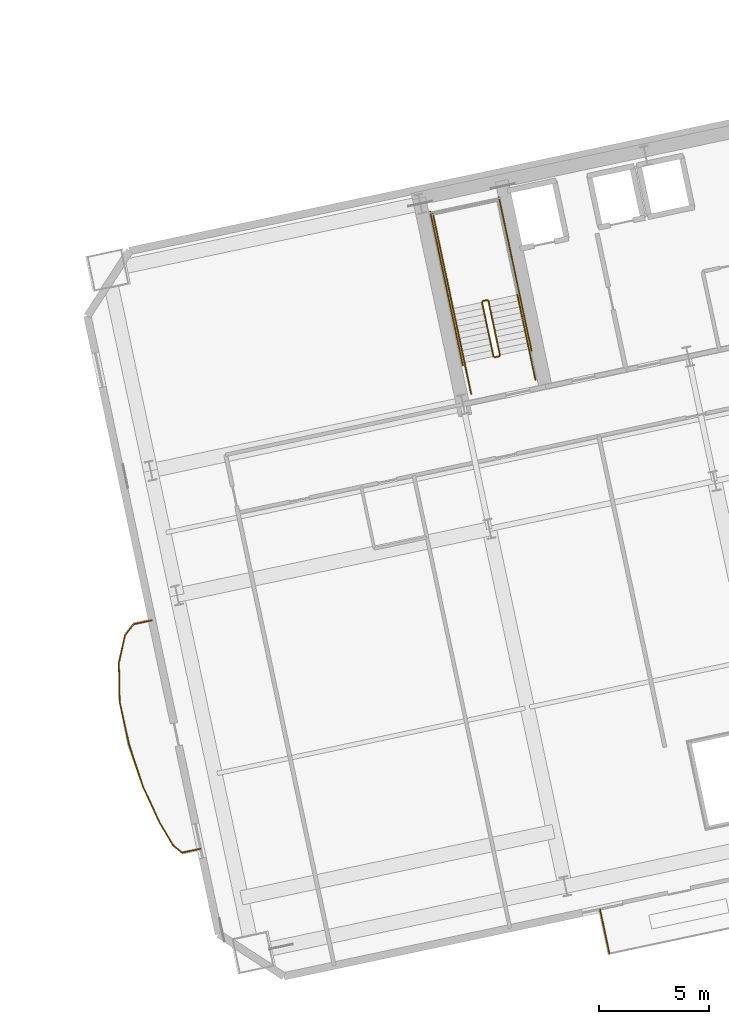
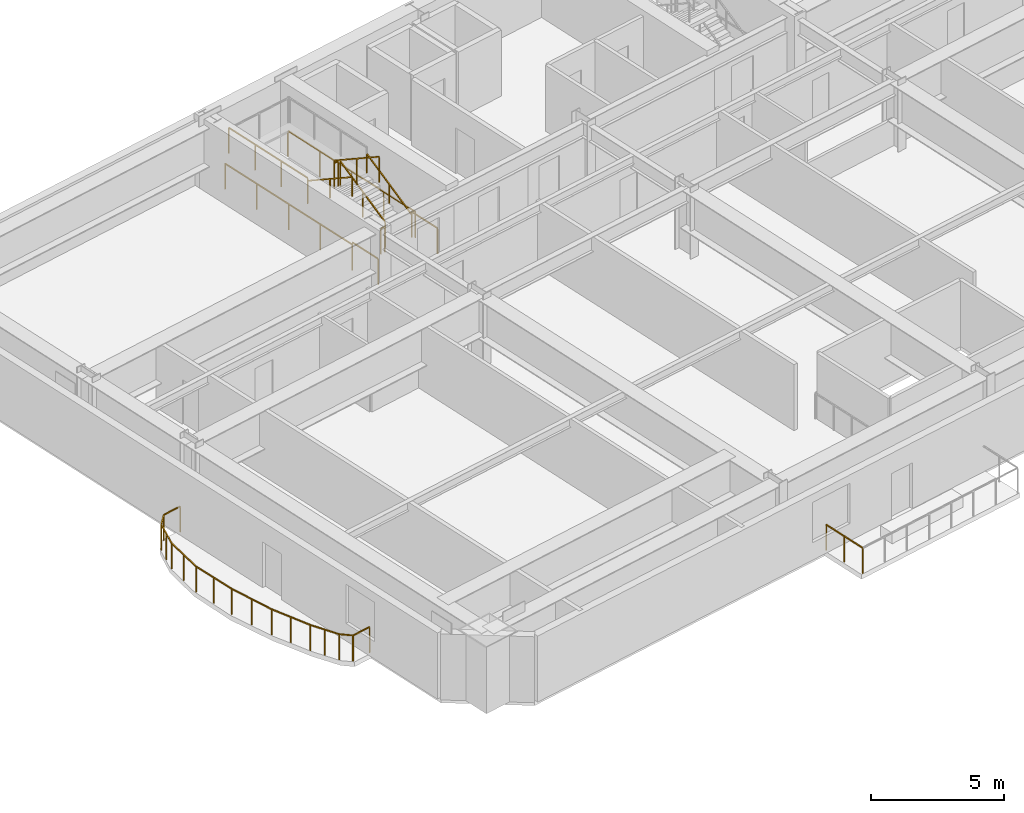
# One storey, part 16 of 18: 22 railings.
"""IFC4 building model written with IfcOpenShell, lengths in metres."""

from ifc_helpers import new_model, si_unit, direction, frame, origin, origin_2d, place, context, subcontext, project, spatial, rectangle, extrude, material, type_object, element, save


model = new_model("IFC4")

# Units and contexts
model_context = context("Model", 3, precision=1e-05, world=origin(), true_north=direction((0.0, 1.0)))
body_context = subcontext(model_context, "Body", "Model", "MODEL_VIEW")
ifc_project = project(units=[si_unit("LENGTHUNIT", "METRE"), si_unit("AREAUNIT", "SQUARE_METRE"), si_unit("VOLUMEUNIT", "CUBIC_METRE"), si_unit("PLANEANGLEUNIT", "RADIAN"), si_unit("MASSUNIT", "GRAM", prefix="KILO")], contexts=[model_context])

# Site, building, storey
site_placement = place(None, origin())
site = spatial("IfcSite", under=ifc_project, at=site_placement, CompositionType="ELEMENT")
building_placement = place(site_placement, origin())
building = spatial("IfcBuilding", under=site, at=building_placement, Name="Haevon Station Towers", CompositionType="ELEMENT")
storey_placement = place(building_placement, frame((0.0, 0.0, 47.10009765625)))
storey = spatial("IfcBuildingStorey", under=building, at=storey_placement, Name="L11", CompositionType="ELEMENT", Elevation=47.10009765625)

# Railings
ifc_material = material(Name="Steel S355", Category="steel")
railing_type_1 = type_object("IfcRailingType", Name="GRD-EXT1200", PredefinedType="GUARDRAIL", material=ifc_material)
railing_1_placement = place(storey_placement, frame((84.56494140625, 27.599853515625, 0.0)))
element("IfcRailing", 1, at=railing_1_placement, inside=storey, type_object=railing_type_1, Name="L11 Perimeter Guardrail 1", PredefinedType="GUARDRAIL", context=body_context, shape_type="SweptSolid", body=[
    extrude(rectangle(XDim=0.048095703125, YDim=0.048095703125, at=origin_2d()), frame((0.0, 0.0, 1.17578125), z_axis=(-0.977678572445, -0.210106185017, 0.0), x_axis=(0.210106185017, -0.977678572445, 0.0)), (0.0, 0.0, 1.0), 0.837890625),
    extrude(rectangle(XDim=0.0419921875, YDim=0.0419921875, at=origin_2d()), origin(), (0.0, 0.0, 1.0), 1.15185546875),
    extrude(rectangle(XDim=0.0419921875, YDim=0.0419921875, at=origin_2d()), frame((-0.819091796875, -0.176025390625, 0.0)), (0.0, 0.0, 1.0), 1.15185546875),
])
railing_2_placement = place(storey_placement, frame((83.745849609375, 27.423828125, 0.0)))
element("IfcRailing", 2, at=railing_2_placement, inside=storey, type_object=railing_type_1, Name="L11 Perimeter Guardrail 2", PredefinedType="GUARDRAIL", context=body_context, shape_type="SweptSolid", body=[
    extrude(rectangle(XDim=0.048095703125, YDim=0.048095703125, at=origin_2d()), frame((0.0, 0.0, 1.17578125), z_axis=(-0.616102641883, -0.787665877555, 0.0), x_axis=(0.787665877555, -0.616102641883, 0.0)), (0.0, 0.0, 1.0), 0.640380859375),
    extrude(rectangle(XDim=0.0419921875, YDim=0.0419921875, at=origin_2d()), origin(), (0.0, 0.0, 1.0), 1.15185546875),
    extrude(rectangle(XDim=0.0419921875, YDim=0.0419921875, at=origin_2d()), frame((-0.39453125, -0.50439453125, 0.0)), (0.0, 0.0, 1.0), 1.15185546875),
])
railing_3_placement = place(storey_placement, frame((83.351318359375, 26.91943359375, 0.0)))
element("IfcRailing", 3, at=railing_3_placement, inside=storey, type_object=railing_type_1, Name="L11 Perimeter Guardrail 3", PredefinedType="GUARDRAIL", context=body_context, shape_type="SweptSolid", body=[
    extrude(rectangle(XDim=0.048095703125, YDim=0.048095703125, at=origin_2d()), frame((0.0, 0.0, 1.17578125), z_axis=(-0.215985023545, -0.976396676359, 0.0), x_axis=(0.976396676359, -0.215985023545, 0.0)), (0.0, 0.0, 1.0), 1.28515625),
    extrude(rectangle(XDim=0.0419921875, YDim=0.0419921875, at=origin_2d()), origin(), (0.0, 0.0, 1.0), 1.15185546875),
    extrude(rectangle(XDim=0.0419921875, YDim=0.0419921875, at=origin_2d()), frame((-0.138671875, -0.62744140625, 0.0)), (0.0, 0.0, 1.0), 1.15185546875),
    extrude(rectangle(XDim=0.0419921875, YDim=0.0419921875, at=origin_2d()), frame((-0.277587890625, -1.2548828125, 0.0)), (0.0, 0.0, 1.0), 1.15185546875),
])
railing_4_placement = place(storey_placement, frame((83.07373046875, 25.66455078125, 0.0)))
element("IfcRailing", 4, at=railing_4_placement, inside=storey, type_object=railing_type_1, Name="L11 Perimeter Guardrail 4", PredefinedType="GUARDRAIL", context=body_context, shape_type="SweptSolid", body=[
    extrude(rectangle(XDim=0.048095703125, YDim=0.048095703125, at=origin_2d()), frame((0.0, 0.0, 1.17578125), z_axis=(0.018952639121, -0.999820382604, 0.0), x_axis=(0.999820382604, 0.018952639121, 0.0)), (0.0, 0.0, 1.0), 1.777587890625),
    extrude(rectangle(XDim=0.0419921875, YDim=0.0419921875, at=origin_2d()), origin(), (0.0, 0.0, 1.0), 1.15185546875),
    extrude(rectangle(XDim=0.0419921875, YDim=0.0419921875, at=origin_2d()), frame((0.016845703125, -0.888671875, 0.0)), (0.0, 0.0, 1.0), 1.15185546875),
    extrude(rectangle(XDim=0.0419921875, YDim=0.0419921875, at=origin_2d()), frame((0.03369140625, -1.77734375, 0.0)), (0.0, 0.0, 1.0), 1.15185546875),
])
railing_5_placement = place(storey_placement, frame((83.107421875, 23.88720703125, 0.0)))
element("IfcRailing", 5, at=railing_5_placement, inside=storey, type_object=railing_type_1, Name="L11 Perimeter Guardrail 5", PredefinedType="GUARDRAIL", context=body_context, shape_type="SweptSolid", body=[
    extrude(rectangle(XDim=0.048095703125, YDim=0.048095703125, at=origin_2d()), frame((0.0, 0.0, 1.17578125), z_axis=(0.216230329155, -0.976342380906, 0.0), x_axis=(0.976342380906, 0.216230329155, 0.0)), (0.0, 0.0, 1.0), 1.993896484375),
    extrude(rectangle(XDim=0.0419921875, YDim=0.0419921875, at=origin_2d()), origin(), (0.0, 0.0, 1.0), 1.15185546875),
    extrude(rectangle(XDim=0.0419921875, YDim=0.0419921875, at=origin_2d()), frame((0.215576171875, -0.973388671875, 0.0)), (0.0, 0.0, 1.0), 1.15185546875),
    extrude(rectangle(XDim=0.0419921875, YDim=0.0419921875, at=origin_2d()), frame((0.43115234375, -1.94677734375, 0.0)), (0.0, 0.0, 1.0), 1.15185546875),
])
railing_6_placement = place(storey_placement, frame((83.53857421875, 21.9404296875, 0.0)))
element("IfcRailing", 6, at=railing_6_placement, inside=storey, type_object=railing_type_1, Name="L11 Perimeter Guardrail 6", PredefinedType="GUARDRAIL", context=body_context, shape_type="SweptSolid", body=[
    extrude(rectangle(XDim=0.048095703125, YDim=0.048095703125, at=origin_2d()), frame((0.0, 0.0, 1.17578125), z_axis=(0.31319055167, -0.949690306544, 0.0), x_axis=(0.949690306544, 0.31319055167, 0.0)), (0.0, 0.0, 1.0), 2.002685546875),
    extrude(rectangle(XDim=0.0419921875, YDim=0.0419921875, at=origin_2d()), origin(), (0.0, 0.0, 1.0), 1.15185546875),
    extrude(rectangle(XDim=0.0419921875, YDim=0.0419921875, at=origin_2d()), frame((0.3134765625, -0.950927734375, 0.0)), (0.0, 0.0, 1.0), 1.15185546875),
    extrude(rectangle(XDim=0.0419921875, YDim=0.0419921875, at=origin_2d()), frame((0.627197265625, -1.90185546875, 0.0)), (0.0, 0.0, 1.0), 1.15185546875),
])
railing_7_placement = place(storey_placement, frame((84.165771484375, 20.03857421875, 0.0)))
element("IfcRailing", 7, at=railing_7_placement, inside=storey, type_object=railing_type_1, Name="L11 Perimeter Guardrail 7", PredefinedType="GUARDRAIL", context=body_context, shape_type="SweptSolid", body=[
    extrude(rectangle(XDim=0.048095703125, YDim=0.048095703125, at=origin_2d()), frame((0.0, 0.0, 1.17578125), z_axis=(0.417536663771, -0.90866007638, 0.0), x_axis=(0.90866007638, 0.417536663771, 0.0)), (0.0, 0.0, 1.0), 1.79150390625),
    extrude(rectangle(XDim=0.0419921875, YDim=0.0419921875, at=origin_2d()), origin(), (0.0, 0.0, 1.0), 1.15185546875),
    extrude(rectangle(XDim=0.0419921875, YDim=0.0419921875, at=origin_2d()), frame((0.3740234375, -0.81396484375, 0.0)), (0.0, 0.0, 1.0), 1.15185546875),
    extrude(rectangle(XDim=0.0419921875, YDim=0.0419921875, at=origin_2d()), frame((0.748046875, -1.6279296875, 0.0)), (0.0, 0.0, 1.0), 1.15185546875),
])
railing_8_placement = place(storey_placement, frame((84.913818359375, 18.41064453125, 0.0)))
element("IfcRailing", 8, at=railing_8_placement, inside=storey, type_object=railing_type_1, Name="L11 Perimeter Guardrail 8", PredefinedType="GUARDRAIL", context=body_context, shape_type="SweptSolid", body=[
    extrude(rectangle(XDim=0.048095703125, YDim=0.048095703125, at=origin_2d()), frame((0.0, 0.0, 1.17578125), z_axis=(0.513740925562, -0.857945372039, 0.0), x_axis=(0.857945372039, 0.513740925562, 0.0)), (0.0, 0.0, 1.0), 1.237060546875),
    extrude(rectangle(XDim=0.0419921875, YDim=0.0419921875, at=origin_2d()), origin(), (0.0, 0.0, 1.0), 1.15185546875),
    extrude(rectangle(XDim=0.0419921875, YDim=0.0419921875, at=origin_2d()), frame((0.31787109375, -0.53076171875, 0.0)), (0.0, 0.0, 1.0), 1.15185546875),
    extrude(rectangle(XDim=0.0419921875, YDim=0.0419921875, at=origin_2d()), frame((0.635498046875, -1.061279296875, 0.0)), (0.0, 0.0, 1.0), 1.15185546875),
])
railing_9_placement = place(storey_placement, frame((85.54931640625, 17.349365234375, 0.0)))
element("IfcRailing", 9, at=railing_9_placement, inside=storey, type_object=railing_type_1, Name="L11 Perimeter Guardrail 9", PredefinedType="GUARDRAIL", context=body_context, shape_type="SweptSolid", body=[
    extrude(rectangle(XDim=0.048095703125, YDim=0.048095703125, at=origin_2d()), frame((0.0, 0.0, 1.17578125), z_axis=(0.774739804813, -0.632280186973, 0.0), x_axis=(0.632280186973, 0.774739804813, 0.0)), (0.0, 0.0, 1.0), 0.52783203125),
    extrude(rectangle(XDim=0.0419921875, YDim=0.0419921875, at=origin_2d()), origin(), (0.0, 0.0, 1.0), 1.15185546875),
    extrude(rectangle(XDim=0.0419921875, YDim=0.0419921875, at=origin_2d()), frame((0.408935546875, -0.333740234375, 0.0)), (0.0, 0.0, 1.0), 1.15185546875),
])
railing_10_placement = place(storey_placement, frame((85.958251953125, 17.015625, 0.0)))
element("IfcRailing", 10, at=railing_10_placement, inside=storey, type_object=railing_type_1, Name="L11 Perimeter Guardrail 10", PredefinedType="GUARDRAIL", context=body_context, shape_type="SweptSolid", body=[
    extrude(rectangle(XDim=0.048095703125, YDim=0.048095703125, at=origin_2d()), frame((0.0, 0.0, 1.17578125), z_axis=(0.978605406054, 0.205746103834, 0.0), x_axis=(-0.205746103834, 0.978605406054, 0.0)), (0.0, 0.0, 1.0), 0.837646484375),
    extrude(rectangle(XDim=0.0419921875, YDim=0.0419921875, at=origin_2d()), origin(), (0.0, 0.0, 1.0), 1.15185546875),
    extrude(rectangle(XDim=0.0419921875, YDim=0.0419921875, at=origin_2d()), frame((0.81982421875, 0.17236328125, 0.0)), (0.0, 0.0, 1.0), 1.15185546875),
])
railing_11_placement = place(storey_placement, frame((105.00439453125, 14.413818359375, 0.0)))
element("IfcRailing", 11, at=railing_11_placement, inside=storey, type_object=railing_type_1, Name="L11 Perimeter Guardrail 3", PredefinedType="GUARDRAIL", context=body_context, shape_type="SweptSolid", body=[
    extrude(rectangle(XDim=0.048095703125, YDim=0.048095703125, at=origin_2d()), frame((0.0, 0.0, 1.17578125), z_axis=(0.207848806692, -0.978160965055, 0.0), x_axis=(0.978160965055, 0.207848806692, 0.0)), (0.0, 0.0, 1.0), 2.054443359375),
    extrude(rectangle(XDim=0.0419921875, YDim=0.0419921875, at=origin_2d()), origin(), (0.0, 0.0, 1.0), 1.15185546875),
    extrude(rectangle(XDim=0.0419921875, YDim=0.0419921875, at=origin_2d()), frame((0.21337890625, -1.0048828125, 0.0)), (0.0, 0.0, 1.0), 1.15185546875),
    extrude(rectangle(XDim=0.0419921875, YDim=0.0419921875, at=origin_2d()), frame((0.427001953125, -2.009521484375, 0.0)), (0.0, 0.0, 1.0), 1.15185546875),
])
railing_type_2 = type_object("IfcRailingType", Name="GRD-STR1200", PredefinedType="GUARDRAIL", material=ifc_material)
railing_12_placement = place(storey_placement, frame((100.44140625, 39.69287109375, 0.164794921875)))
element("IfcRailing", 12, at=railing_12_placement, inside=storey, type_object=railing_type_2, Name="L11 ST3 Stair Guard 1", PredefinedType="GUARDRAIL", context=body_context, shape_type="SweptSolid", body=[
    extrude(rectangle(XDim=0.048095703125, YDim=0.048095703125, at=origin_2d()), frame((0.0, 0.0, 1.17578125), z_axis=(-0.179121265225, 0.842687928106, 0.507732831485), x_axis=(-0.978147030254, -0.207914374695, 0.0)), (0.0, 0.0, 1.0), 2.925048828125),
    extrude(rectangle(XDim=0.0419921875, YDim=0.0419921875, at=origin_2d()), origin(), (0.0, 0.0, 1.0), 1.15185546875),
    extrude(rectangle(XDim=0.0419921875, YDim=0.0419921875, at=origin_2d()), frame((-0.261962890625, 1.232421875, 0.74267578125)), (0.0, 0.0, 1.0), 1.15185546875),
    extrude(rectangle(XDim=0.0419921875, YDim=0.0419921875, at=origin_2d()), frame((-0.52392578125, 2.46484375, 1.485107421875)), (0.0, 0.0, 1.0), 1.15185546875),
])
railing_13_placement = place(storey_placement, frame((99.858154296875, 42.1962890625, 1.64990234375)))
element("IfcRailing", 13, at=railing_13_placement, inside=storey, type_object=railing_type_2, Name="L11 ST3 Stair Guard 2", PredefinedType="GUARDRAIL", context=body_context, shape_type="SweptSolid", body=[
    extrude(rectangle(XDim=0.048095703125, YDim=0.048095703125, at=origin_2d()), frame((0.0, 0.0, 1.17578125), z_axis=(-0.977962931203, -0.208778603291, 0.0), x_axis=(0.208778603291, -0.977962931203, 0.0)), (0.0, 0.0, 1.0), 0.199951171875),
    extrude(rectangle(XDim=0.0419921875, YDim=0.0419921875, at=origin_2d()), origin(), (0.0, 0.0, 1.0), 1.15185546875),
    extrude(rectangle(XDim=0.0419921875, YDim=0.0419921875, at=origin_2d()), frame((-0.195556640625, -0.041748046875, 0.0)), (0.0, 0.0, 1.0), 1.15185546875),
])
railing_14_placement = place(storey_placement, frame((98.303466796875, 41.814697265625, 1.64990234375)))
element("IfcRailing", 14, at=railing_14_placement, inside=storey, type_object=railing_type_2, Name="L11 ST3 Stair Guard 4", PredefinedType="GUARDRAIL", context=body_context, shape_type="SweptSolid", body=[
    extrude(rectangle(XDim=0.048095703125, YDim=0.048095703125, at=origin_2d()), frame((0.0, 0.0, 1.17578125), z_axis=(-0.207876551949, 0.978155069071, 0.0), x_axis=(-0.978155069071, -0.207876551949, 0.0)), (0.0, 0.0, 1.0), 4.429931640625),
    extrude(rectangle(XDim=0.0419921875, YDim=0.0419921875, at=origin_2d()), origin(), (0.0, 0.0, 1.0), 1.15185546875),
    extrude(rectangle(XDim=0.0419921875, YDim=0.0419921875, at=origin_2d()), frame((-0.306884765625, 1.4443359375, 0.0)), (0.0, 0.0, 1.0), 1.15185546875),
    extrude(rectangle(XDim=0.0419921875, YDim=0.0419921875, at=origin_2d()), frame((-0.614013671875, 2.888916015625, 0.0)), (0.0, 0.0, 1.0), 1.15185546875),
    extrude(rectangle(XDim=0.0419921875, YDim=0.0419921875, at=origin_2d()), frame((-0.9208984375, 4.333251953125, 0.0)), (0.0, 0.0, 1.0), 1.15185546875),
])
railing_15_placement = place(storey_placement, frame((99.6240234375, 42.09521484375, 1.81494140625)))
element("IfcRailing", 15, at=railing_15_placement, inside=storey, type_object=railing_type_2, Name="L11 ST3 Stair Guard 6", PredefinedType="GUARDRAIL", context=body_context, shape_type="SweptSolid", body=[
    extrude(rectangle(XDim=0.048095703125, YDim=0.048095703125, at=origin_2d()), frame((0.0, 0.0, 1.17578125), z_axis=(0.179128856099, -0.842723639875, 0.507670877349), x_axis=(0.978147030254, 0.207914374695, 0.0)), (0.0, 0.0, 1.0), 2.9248046875),
    extrude(rectangle(XDim=0.0419921875, YDim=0.0419921875, at=origin_2d()), origin(), (0.0, 0.0, 1.0), 1.15185546875),
    extrude(rectangle(XDim=0.0419921875, YDim=0.0419921875, at=origin_2d()), frame((0.261962890625, -1.232421875, 0.742431640625)), (0.0, 0.0, 1.0), 1.15185546875),
    extrude(rectangle(XDim=0.0419921875, YDim=0.0419921875, at=origin_2d()), frame((0.52392578125, -2.46484375, 1.48486328125)), (0.0, 0.0, 1.0), 1.15185546875),
])
railing_16_placement = place(storey_placement, frame((100.40283203125, 39.633544921875, 0.0)))
element("IfcRailing", 16, at=railing_16_placement, inside=storey, type_object=railing_type_2, Name="L11 ST3 Stair Guard 7", PredefinedType="GUARDRAIL", context=body_context, shape_type="SweptSolid", body=[
    extrude(rectangle(XDim=0.048095703125, YDim=0.048095703125, at=origin_2d()), frame((0.0, 0.0, 1.17578125), z_axis=(-0.977962931203, -0.208778603291, 0.0), x_axis=(0.208778603291, -0.977962931203, 0.0)), (0.0, 0.0, 1.0), 0.199951171875),
    extrude(rectangle(XDim=0.0419921875, YDim=0.0419921875, at=origin_2d()), origin(), (0.0, 0.0, 1.0), 1.15185546875),
    extrude(rectangle(XDim=0.0419921875, YDim=0.0419921875, at=origin_2d()), frame((-0.195556640625, -0.041748046875, 0.0)), (0.0, 0.0, 1.0), 1.15185546875),
])
for number, where, name in (
    (17, (102.0634765625, 38.55517578125, 0.0), "L11 ST3 Stair Guard 8"),
    (18, (99.12890625, 37.931396484375, 0.0), "L11 ST3 Stair Guard 9"),
):
    element("IfcRailing", number, at=place(storey_placement, frame(where)), inside=storey, type_object=railing_type_2, Name=name, PredefinedType="GUARDRAIL", context=body_context, shape_type="SweptSolid", body=[
        extrude(rectangle(XDim=0.048095703125, YDim=0.048095703125, at=origin_2d()), frame((0.0, 0.0, 1.17578125), z_axis=(-0.207953405961, 0.978138732977, 0.0), x_axis=(-0.978138732977, -0.207953405961, 0.0)), (0.0, 0.0, 1.0), 1.449951171875),
        extrude(rectangle(XDim=0.0419921875, YDim=0.0419921875, at=origin_2d()), origin(), (0.0, 0.0, 1.0), 1.15185546875),
        extrude(rectangle(XDim=0.0419921875, YDim=0.0419921875, at=origin_2d()), frame((-0.301513671875, 1.418212890625, 0.0)), (0.0, 0.0, 1.0), 1.15185546875),
    ])
railing_17_placement = place(storey_placement, frame((101.88037109375, 39.896484375, 0.0)))
element("IfcRailing", 19, at=railing_17_placement, inside=storey, type_object=railing_type_2, Name="L11 ST3 Stair Guard 10", PredefinedType="GUARDRAIL", context=body_context, shape_type="SweptSolid", body=[
    extrude(rectangle(XDim=0.048095703125, YDim=0.048095703125, at=origin_2d()), frame((0.0, 0.0, 1.17578125), z_axis=(-0.207882442208, 0.978153817261, 0.0), x_axis=(-0.978153817261, -0.207882442208, 0.0)), (0.0, 0.0, 1.0), 7.14990234375),
    extrude(rectangle(XDim=0.0419921875, YDim=0.0419921875, at=origin_2d()), origin(), (0.0, 0.0, 1.0), 1.15185546875),
    extrude(rectangle(XDim=0.0419921875, YDim=0.0419921875, at=origin_2d()), frame((-0.37158203125, 1.74853515625, 0.0)), (0.0, 0.0, 1.0), 1.15185546875),
    extrude(rectangle(XDim=0.0419921875, YDim=0.0419921875, at=origin_2d()), frame((-0.7431640625, 3.496826171875, 0.0)), (0.0, 0.0, 1.0), 1.15185546875),
    extrude(rectangle(XDim=0.0419921875, YDim=0.0419921875, at=origin_2d()), frame((-1.11474609375, 5.2451171875, 0.0)), (0.0, 0.0, 1.0), 1.15185546875),
    extrude(rectangle(XDim=0.0419921875, YDim=0.0419921875, at=origin_2d()), frame((-1.486328125, 6.99365234375, 0.0)), (0.0, 0.0, 1.0), 1.15185546875),
])
railing_18_placement = place(storey_placement, frame((98.75048828125, 39.231201171875, 0.0)))
element("IfcRailing", 20, at=railing_18_placement, inside=storey, type_object=railing_type_2, Name="L11 ST3 Stair Guard 11", PredefinedType="GUARDRAIL", context=body_context, shape_type="SweptSolid", body=[
    extrude(rectangle(XDim=0.048095703125, YDim=0.048095703125, at=origin_2d()), frame((0.0, 0.0, 1.17578125), z_axis=(-0.207915112487, 0.978146873429, 0.0), x_axis=(-0.978146873429, -0.207915112487, 0.0)), (0.0, 0.0, 1.0), 7.14990234375),
    extrude(rectangle(XDim=0.0419921875, YDim=0.0419921875, at=origin_2d()), origin(), (0.0, 0.0, 1.0), 1.15185546875),
    extrude(rectangle(XDim=0.0419921875, YDim=0.0419921875, at=origin_2d()), frame((-0.37158203125, 1.74853515625, 0.0)), (0.0, 0.0, 1.0), 1.15185546875),
    extrude(rectangle(XDim=0.0419921875, YDim=0.0419921875, at=origin_2d()), frame((-0.7431640625, 3.496826171875, 0.0)), (0.0, 0.0, 1.0), 1.15185546875),
    extrude(rectangle(XDim=0.0419921875, YDim=0.0419921875, at=origin_2d()), frame((-1.114990234375, 5.2451171875, 0.0)), (0.0, 0.0, 1.0), 1.15185546875),
    extrude(rectangle(XDim=0.0419921875, YDim=0.0419921875, at=origin_2d()), frame((-1.486572265625, 6.99365234375, 0.0)), (0.0, 0.0, 1.0), 1.15185546875),
])
railing_type_3 = type_object("IfcRailingType", Name="HND-STR900", PredefinedType="HANDRAIL", material=ifc_material)
railing_19_placement = place(storey_placement, frame((101.761962890625, 39.973388671875, 0.164794921875)))
element("IfcRailing", 21, at=railing_19_placement, inside=storey, type_object=railing_type_3, Name="L11 ST3 Stair Handrail 1", PredefinedType="HANDRAIL", context=body_context, shape_type="SweptSolid", body=[
    extrude(rectangle(XDim=0.048095703125, YDim=0.048095703125, at=origin_2d()), frame((0.0, 0.0, 0.8759765625), z_axis=(-0.179108667068, 0.842712120868, 0.50769712105), x_axis=(-0.978151217824, -0.207894673017, 0.0)), (0.0, 0.0, 1.0), 2.92529296875),
    extrude(rectangle(XDim=0.0419921875, YDim=0.0419921875, at=origin_2d()), origin(), (0.0, 0.0, 1.0), 0.851806640625),
    extrude(rectangle(XDim=0.0419921875, YDim=0.0419921875, at=origin_2d()), frame((-0.261962890625, 1.232421875, 0.74267578125)), (0.0, 0.0, 1.0), 0.851806640625),
    extrude(rectangle(XDim=0.0419921875, YDim=0.0419921875, at=origin_2d()), frame((-0.52392578125, 2.465087890625, 1.485107421875)), (0.0, 0.0, 1.0), 0.851806640625),
])
railing_20_placement = place(storey_placement, frame((98.303466796875, 41.814697265625, 1.81494140625)))
element("IfcRailing", 22, at=railing_20_placement, inside=storey, type_object=railing_type_3, Name="L11 ST3 Stair Handrail 2", PredefinedType="HANDRAIL", context=body_context, shape_type="SweptSolid", body=[
    extrude(rectangle(XDim=0.048095703125, YDim=0.048095703125, at=origin_2d()), frame((0.0, 0.0, 0.8759765625), z_axis=(0.179116256339, -0.842747828638, 0.507635168246), x_axis=(0.978151217824, 0.207894673017, 0.0)), (0.0, 0.0, 1.0), 2.925048828125),
    extrude(rectangle(XDim=0.0419921875, YDim=0.0419921875, at=origin_2d()), origin(), (0.0, 0.0, 1.0), 0.851806640625),
    extrude(rectangle(XDim=0.0419921875, YDim=0.0419921875, at=origin_2d()), frame((0.261962890625, -1.232421875, 0.742431640625)), (0.0, 0.0, 1.0), 0.851806640625),
    extrude(rectangle(XDim=0.0419921875, YDim=0.0419921875, at=origin_2d()), frame((0.52392578125, -2.465087890625, 1.48486328125)), (0.0, 0.0, 1.0), 0.851806640625),
])

save(model, "model.ifc")
